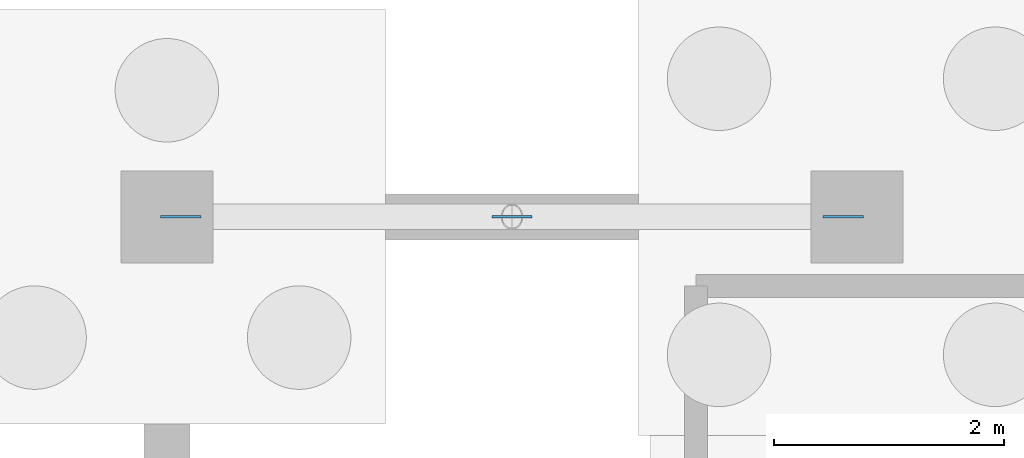
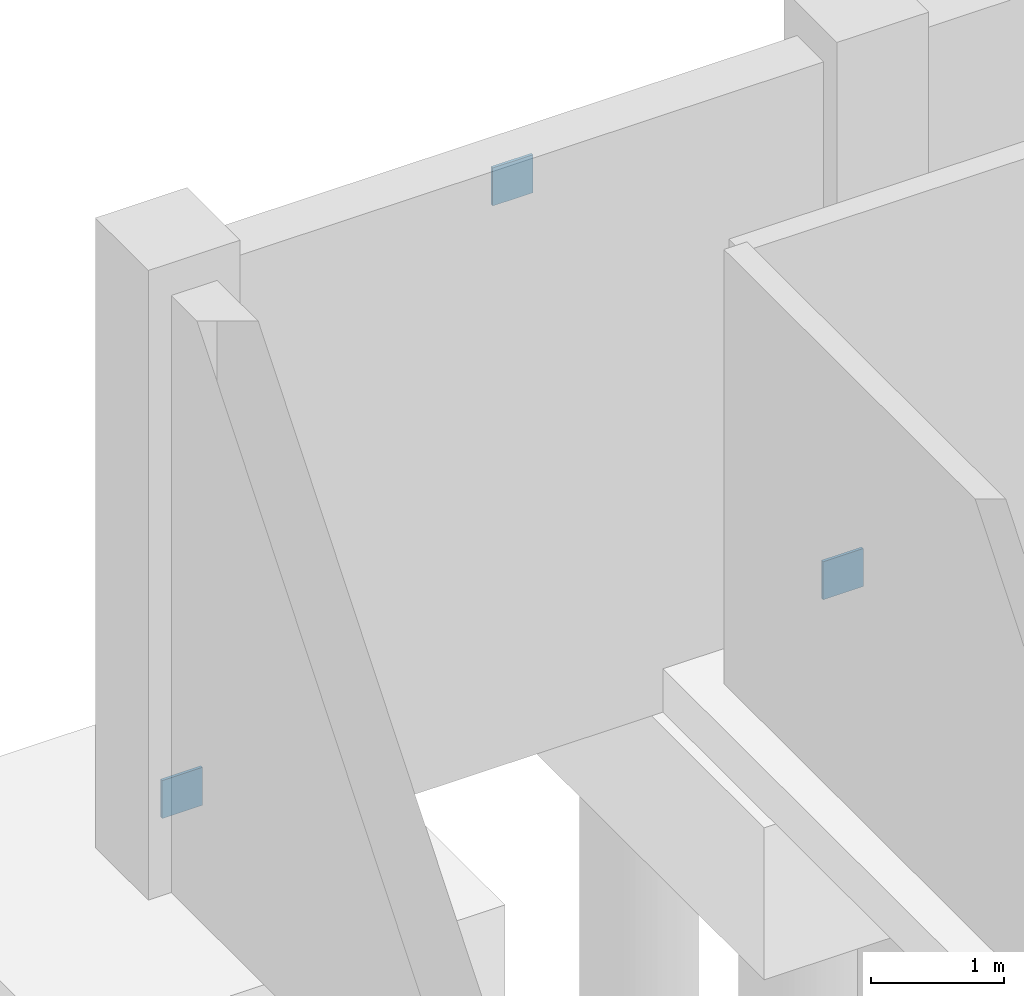
# One storey, part 16 of 19: 3 discrete accessories.
"""IFC4 building model written with IfcOpenShell, lengths in metres."""

from ifc_helpers import new_model, si_unit, direction, frame, origin, origin_2d, place, context, subcontext, project, spatial, rectangle, extrude, material, type_object, element, save


model = new_model("IFC4")

# Units and contexts
model_context = context("Model", 3, precision=1e-05, world=origin(), true_north=direction((0.0, 1.0)))
body_context = subcontext(model_context, "Body", "Model", "MODEL_VIEW")
ifc_project = project(units=[si_unit("LENGTHUNIT", "METRE"), si_unit("AREAUNIT", "SQUARE_METRE"), si_unit("VOLUMEUNIT", "CUBIC_METRE"), si_unit("PLANEANGLEUNIT", "RADIAN"), si_unit("MASSUNIT", "GRAM", prefix="KILO")], contexts=[model_context])

# Site, building, storey
site_placement = place(None, origin())
site = spatial("IfcSite", under=ifc_project, at=site_placement, CompositionType="ELEMENT")
building_placement = place(site_placement, origin())
building = spatial("IfcBuilding", under=site, at=building_placement, Name="Mirzam Square Science Centre", CompositionType="ELEMENT")
storey_placement = place(building_placement, frame((0.0, 0.0, -5.39990234375)))
storey = spatial("IfcBuildingStorey", under=building, at=storey_placement, Name="B01", CompositionType="ELEMENT", Elevation=-5.39990234375)

# Discrete accessories
ifc_material = material(Name="Steel S355", Category="steel")
discrete_accessory_type = type_object("IfcDiscreteAccessoryType", Name="BK-BRACE-GUSSET", PredefinedType="BRACKET", material=ifc_material)
for number, where, z_axis, x_axis, name in (
    (1, (36.1201171875, 80.60009765625, -0.005126953125), (0.0, 0.0, 1.0), (1.0, 0.0, 0.0), "B01 brace gusset plate 3A"),
    (2, (41.8798828125, 80.60009765625, -0.005126953125), (0.0, 0.0, 1.0), (1.0, 0.0, 0.0), "B01 brace gusset plate 3B"),
    (3, (39.0, 80.60009765625, 4.6298828125), (0.0, 0.0, 1.0), (1.0, 0.0, 0.0), "B01 brace apex gusset plate 3"),
):
    element("IfcDiscreteAccessory", number, at=place(storey_placement, frame(where, z_axis=z_axis, x_axis=x_axis)), inside=storey, type_object=discrete_accessory_type, Name=name, PredefinedType="BRACKET", context=body_context, shape_type="SweptSolid", body=[
        extrude(rectangle(XDim=0.35009765625, YDim=0.02490234375, at=origin_2d()), origin(), (0.0, 0.0, 1.0), 0.35009765625),
    ])

save(model, "model.ifc")
